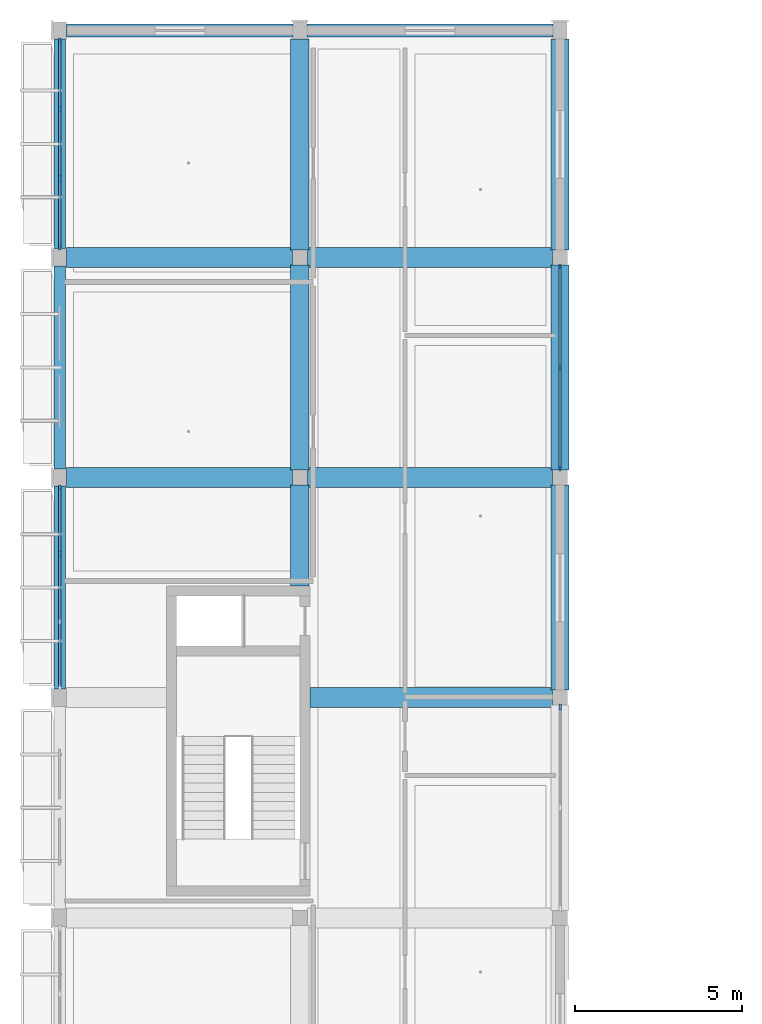
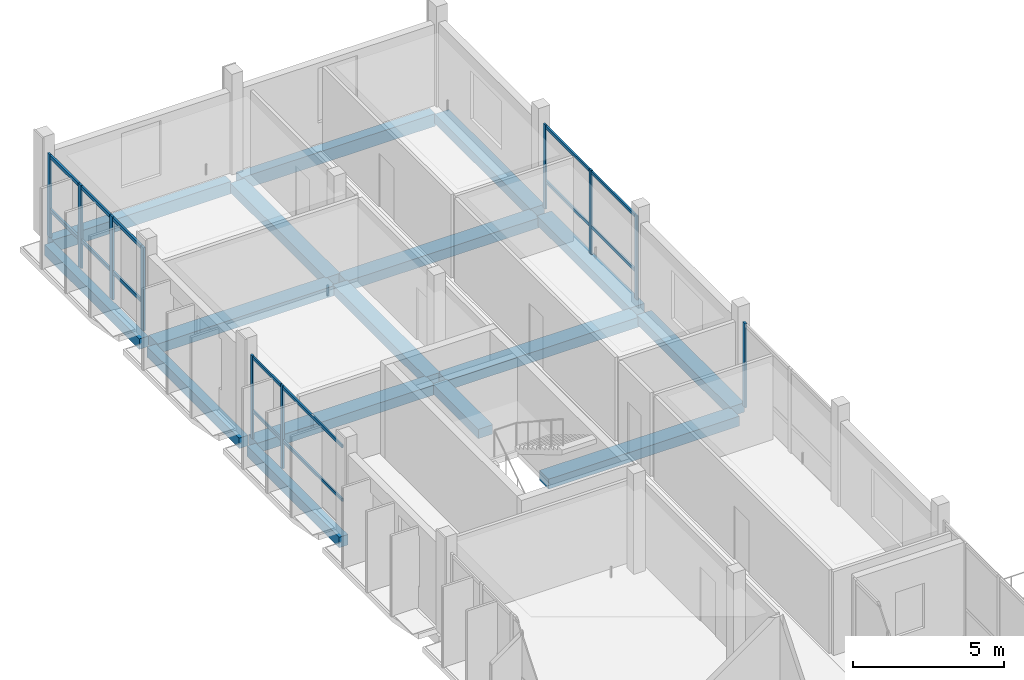
# One storey, part 7 of 48: 16 beams, 16 members, 4 elements without a shape of their own.
"""IFC4 building model written with IfcOpenShell, lengths in metres."""

import ifcopenshell
import ifcopenshell.guid

model = None  # the IFC model being written
_history = None  # IfcOwnerHistory: only IFC2X3 demands one
_inside = {}  # id of a spatial element -> (the spatial element, [elements in it])
_under = {}  # id of a project, library or spatial element -> (it, [spatial elements below it])
_declared = {}  # id of a project -> (the project, [libraries it declares])
_typed = {}  # id of a type object -> (the type object, [elements of that type])
_made_of = {}  # id of a material, layer set ... -> (it, [elements and type objects made of it])


def new_model(schema):
    """Start an empty IFC model of exactly this schema.

    Asked for "IFC4X3", IfcOpenShell would pick the latest addendum, in which some entities
    have other attributes; the version numbers below select the first issue.
    IFC2X3 requires an IfcOwnerHistory on every rooted entity: one is made here for all.
    """
    global model, _history
    if schema == "IFC4X3":
        model = ifcopenshell.file(schema_version=(4, 3, 0, 0))
    else:
        model = ifcopenshell.file(schema=schema)
    _inside.clear()
    _under.clear()
    _declared.clear()
    _typed.clear()
    _made_of.clear()
    _history = None
    if model.schema == "IFC2X3":
        org = make("IfcOrganization", Name="unknown")
        user = make(
            "IfcPersonAndOrganization",
            ThePerson=make("IfcPerson", FamilyName="unknown"),
            TheOrganization=org,
        )
        app = make(
            "IfcApplication",
            ApplicationDeveloper=org,
            Version="unknown",
            ApplicationFullName="unknown",
            ApplicationIdentifier="unknown",
        )
        _history = make(
            "IfcOwnerHistory",
            OwningUser=user,
            OwningApplication=app,
            ChangeAction="ADDED",
            CreationDate=0,
        )
    return model


def make(cls, **values):
    """One entity of the class cls with the attributes given. An attribute that is None is left unset."""
    return model.create_entity(
        cls, **{name: value for name, value in values.items() if value is not None}
    )


def rooted(cls, **values):
    """An entity with a GlobalId (a new one), such as an element, a storey or a relation."""
    return make(cls, GlobalId=ifcopenshell.guid.new(), OwnerHistory=_history, **values)


def si_unit(unit_type, name, prefix=None):
    """IfcSIUnit, for example si_unit("LENGTHUNIT", "METRE", prefix="MILLI")."""
    return make("IfcSIUnit", UnitType=unit_type, Prefix=prefix, Name=name)


def derived_unit(unit_type, elements):
    """IfcDerivedUnit: a product of units, each with its exponent."""
    return make(
        "IfcDerivedUnit",
        Elements=[
            make("IfcDerivedUnitElement", Unit=unit, Exponent=power)
            for unit, power in elements
        ],
        UnitType=unit_type,
    )


def assignment(units):
    """IfcUnitAssignment: the units of a project."""
    return None if units is None else make("IfcUnitAssignment", Units=units)


def point(xyz):
    """IfcCartesianPoint."""
    return None if xyz is None else make("IfcCartesianPoint", Coordinates=xyz)


def direction(xyz):
    """IfcDirection."""
    return None if xyz is None else make("IfcDirection", DirectionRatios=xyz)


def frame(location, z_axis=None, x_axis=None):
    """IfcAxis2Placement3D, a coordinate frame: its origin and axes. An axis left out is left unset."""
    return make(
        "IfcAxis2Placement3D",
        Location=point(location),
        Axis=direction(z_axis),
        RefDirection=direction(x_axis),
    )


def frame_2d(location, x_axis=None):
    """IfcAxis2Placement2D, a coordinate frame in the plane: its origin and x axis."""
    return make(
        "IfcAxis2Placement2D", Location=point(location), RefDirection=direction(x_axis)
    )


def origin():
    """The frame at (0, 0, 0) with its axes left unset."""
    return frame((0.0, 0.0, 0.0))


def origin_2d():
    """The frame at (0, 0) in the plane with its x axis left unset."""
    return frame_2d((0.0, 0.0))


def place(relative_to, where):
    """IfcLocalPlacement: puts the frame where relative to a parent placement (None: the world)."""
    return make(
        "IfcLocalPlacement", PlacementRelTo=relative_to, RelativePlacement=where
    )


def context(
    kind, dimensions, precision=None, world=None, true_north=None, identifier=None
):
    """IfcGeometricRepresentationContext, for example the 3D "Model" context."""
    return make(
        "IfcGeometricRepresentationContext",
        ContextIdentifier=identifier,
        ContextType=kind,
        CoordinateSpaceDimension=dimensions,
        Precision=precision,
        WorldCoordinateSystem=world,
        TrueNorth=true_north,
    )


def subcontext(parent, identifier, kind, view, scale=None):
    """IfcGeometricRepresentationSubContext, for example "Body" below "Model"."""
    return make(
        "IfcGeometricRepresentationSubContext",
        ContextIdentifier=identifier,
        ContextType=kind,
        ParentContext=parent,
        TargetScale=scale,
        TargetView=view,
    )


def project(units=None, contexts=None):
    """IfcProject with its units and contexts."""
    return rooted(
        "IfcProject",
        Name="project",
        RepresentationContexts=contexts,
        UnitsInContext=assignment(units),
    )


def spatial(cls, under=None, at=None, **own):
    """A site, building, storey or space (cls), placed at a placement, below another one or the project."""
    s = rooted(cls, ObjectPlacement=at, **own)
    if under is not None:
        _under.setdefault(under.id(), (under, []))[1].append(s)
    return s


def profile(cls, at=None, kind="AREA", **sizes):
    """A parametric profile (cls). Its sizes go by their IFC names, for example OverallWidth=200.0."""
    return make(cls, ProfileType=kind, Position=at, **sizes)


def rectangle(**sizes):
    """IfcRectangleProfileDef."""
    return profile("IfcRectangleProfileDef", **sizes)


def extrude(swept, where, along, depth):
    """IfcExtrudedAreaSolid: the profile swept, set in the frame where, extruded along a direction by depth."""
    return make(
        "IfcExtrudedAreaSolid",
        SweptArea=swept,
        Position=where,
        ExtrudedDirection=direction(along),
        Depth=depth,
    )


def shape(context_of_items, identifier, shape_type, items):
    """IfcShapeRepresentation: the items that make up one representation, for example the "Body"."""
    return make(
        "IfcShapeRepresentation",
        ContextOfItems=context_of_items,
        RepresentationIdentifier=identifier,
        RepresentationType=shape_type,
        Items=items,
    )


def material(Name=None, Category=None):
    """IfcMaterial."""
    return make("IfcMaterial", Name=Name, Category=Category)


def material_profile(
    of_material, cross_section, Name=None, Category=None, Priority=None
):
    """IfcMaterialProfile: a cross section and its material."""
    return make(
        "IfcMaterialProfile",
        Name=Name,
        Material=of_material,
        Profile=cross_section,
        Priority=Priority,
        Category=Category,
    )


def profile_set(profiles, Name=None, composite=None):
    """IfcMaterialProfileSet."""
    return make(
        "IfcMaterialProfileSet",
        Name=Name,
        MaterialProfiles=profiles,
        CompositeProfile=composite,
    )


def made_of(thing, what):
    """Note that an element or type object is made of a material, layer set ...; save() writes the relation."""
    if what is not None:
        _made_of.setdefault(what.id(), (what, []))[1].append(thing)
    return thing


def type_object(cls, material=None, **own):
    """A type object (cls), such as IfcWallType, which elements share."""
    return made_of(rooted(cls, **own), material)


def element(
    cls,
    number,
    at=None,
    inside=None,
    cuts=None,
    type_object=None,
    material=None,
    context=None,
    identifier="Body",
    shape_type=None,
    held_by="IfcProductDefinitionShape",
    body=None,
    shapes=None,
    **own,
):
    """One element of the class cls, such as IfcWall. Its Tag is "e" and its number.

    at: its placement. inside: the storey or other place that contains it. cuts: it is an
    opening in that element (IfcRelVoidsElement). A single representation is given by context,
    identifier, shape_type and body (its items); several are given by shapes. held_by: the class
    of the entity that holds the representations. save() writes the other relations.
    """
    e = rooted(cls, Tag="e%d" % number, ObjectPlacement=at, **own)
    if body is not None:
        shapes = [shape(context, identifier, shape_type, body)]
    if shapes is not None:
        e.Representation = make(held_by, Representations=shapes)
    if inside is not None:
        _inside.setdefault(inside.id(), (inside, []))[1].append(e)
    if cuts is not None:
        rooted(
            "IfcRelVoidsElement", RelatingBuildingElement=cuts, RelatedOpeningElement=e
        )
    if type_object is not None:
        _typed.setdefault(type_object.id(), (type_object, []))[1].append(e)
    return made_of(e, material)


def aggregate(whole, parts):
    """IfcRelAggregates: a whole, such as a stair, and the parts it consists of."""
    return rooted("IfcRelAggregates", RelatingObject=whole, RelatedObjects=parts)


def save(model, path):
    """Write the relations noted so far, then the file.

    IfcRelAggregates (storeys below a building ...), IfcRelContainedInSpatialStructure (elements
    in a storey), IfcRelDefinesByType, IfcRelAssociatesMaterial and IfcRelDeclares: one each for
    every whole, place, type object, material and project.
    """
    for whole, parts in _under.values():
        aggregate(whole, parts)
    for where, things in _inside.values():
        rooted(
            "IfcRelContainedInSpatialStructure",
            RelatedElements=things,
            RelatingStructure=where,
        )
    for kind, things in _typed.values():
        rooted("IfcRelDefinesByType", RelatedObjects=things, RelatingType=kind)
    for what, things in _made_of.values():
        rooted("IfcRelAssociatesMaterial", RelatedObjects=things, RelatingMaterial=what)
    for by, libraries in _declared.values():
        rooted("IfcRelDeclares", RelatingContext=by, RelatedDefinitions=libraries)
    model.write(path)


model = new_model("IFC4")

# Units and contexts
model_context = context("Model", 3, precision=1e-05, world=origin(), true_north=direction((0.0, 1.0)))
body_context = subcontext(model_context, "Body", "Model", "MODEL_VIEW")
ifc_project = project(units=[si_unit("LENGTHUNIT", "METRE"), si_unit("AREAUNIT", "SQUARE_METRE"), si_unit("VOLUMEUNIT", "CUBIC_METRE"), si_unit("PLANEANGLEUNIT", "RADIAN"), si_unit("MASSUNIT", "GRAM", prefix="KILO"), derived_unit("THERMALTRANSMITTANCEUNIT", [(si_unit("POWERUNIT", "WATT"), 1), (si_unit("LENGTHUNIT", "METRE"), -2), (si_unit("THERMODYNAMICTEMPERATUREUNIT", "KELVIN"), -1)])], contexts=[model_context])

# Site, building, storey
site_placement = place(None, origin())
site = spatial("IfcSite", under=ifc_project, at=site_placement, CompositionType="ELEMENT")
building_placement = place(site_placement, origin())
building = spatial("IfcBuilding", under=site, at=building_placement, Name="Braskholm Square Health Centre", CompositionType="ELEMENT")
storey_placement = place(building_placement, frame((0.0, 0.0, 17.550048828125)))
storey = spatial("IfcBuildingStorey", under=building, at=storey_placement, Name="L05", CompositionType="ELEMENT", Elevation=17.550048828125)

# Curtain wall, members
ifc_material_1 = material(Name="Low-E triple insulating glass (VLT 0.64)", Category="glass")
curtain_wall_type = type_object("IfcCurtainWallType", Name="UnitisedCurtainWall6200x3650", PredefinedType="NOTDEFINED", material=ifc_material_1)
curtain_wall_1_placement = place(storey_placement, origin())
curtain_wall_1 = element("IfcCurtainWall", 1, at=curtain_wall_1_placement, inside=storey, type_object=curtain_wall_type, Name="West Outer unitised curtain wall CW-L05-0036", PredefinedType="NOTDEFINED")
ifc_material_2 = material(Name="Architectural bronze anodised aluminium", Category="aluminium")
ifc_material_profile_1 = material_profile(ifc_material_2, rectangle(XDim=0.06494140625, YDim=0.14990234375, at=origin_2d()), Name="ALU-65X150")
ifc_profile_set_1 = profile_set([ifc_material_profile_1], Name="Architectural bronze anodised aluminium")
member_type_1 = type_object("IfcMemberType", Name="CurtainWallMullion65x150", PredefinedType="MULLION", material=ifc_profile_set_1)
member_1_placement = place(storey_placement, frame((4.199951171875, 100.093505859375, 0.0), z_axis=(0.0, 0.0, 1.0), x_axis=(1.0, 0.0, 0.0)))
member_1 = element("IfcMember", 2, at=member_1_placement, type_object=member_type_1, Name="CW-L05-0036 vertical mullion 1", PredefinedType="MULLION", context=body_context, shape_type="SweptSolid", body=[
    extrude(rectangle(XDim=0.06494140625, YDim=0.14990234375, at=origin_2d()), origin(), (0.0, 0.0, 1.0), 3.349853515625),
])
member_2_placement = place(storey_placement, frame((4.199951171875, 98.110107421875, 0.0), z_axis=(0.0, 0.0, 1.0), x_axis=(1.0, 0.0, 0.0)))
member_2 = element("IfcMember", 3, at=member_2_placement, type_object=member_type_1, Name="CW-L05-0036 vertical mullion 2", PredefinedType="MULLION", context=body_context, shape_type="SweptSolid", body=[
    extrude(rectangle(XDim=0.06494140625, YDim=0.14990234375, at=origin_2d()), origin(), (0.0, 0.0, 1.0), 3.349853515625),
])

curtain_wall_2_placement = place(storey_placement, origin())
curtain_wall_2 = element("IfcCurtainWall", 4, at=curtain_wall_2_placement, inside=storey, type_object=curtain_wall_type, Name="West Valley unitised curtain wall CW-L05-0108", PredefinedType="NOTDEFINED")
member_3_placement = place(storey_placement, frame((19.199951171875, 100.6767578125, 0.0), z_axis=(0.0, 0.0, 1.0), x_axis=(1.0, 0.0, 0.0)))
member_3 = element("IfcMember", 5, at=member_3_placement, type_object=member_type_1, Name="CW-L05-0108 vertical mullion 1", PredefinedType="MULLION", context=body_context, shape_type="SweptSolid", body=[
    extrude(rectangle(XDim=0.06494140625, YDim=0.14990234375, at=origin_2d()), origin(), (0.0, 0.0, 1.0), 3.389892578125),
])
member_4_placement = place(storey_placement, frame((19.199951171875, 103.699951171875, 0.0), z_axis=(0.0, 0.0, 1.0), x_axis=(1.0, 0.0, 0.0)))
member_4 = element("IfcMember", 6, at=member_4_placement, type_object=member_type_1, Name="CW-L05-0108 vertical mullion 2", PredefinedType="MULLION", context=body_context, shape_type="SweptSolid", body=[
    extrude(rectangle(XDim=0.06494140625, YDim=0.14990234375, at=origin_2d()), origin(), (0.0, 0.0, 1.0), 3.389892578125),
])
member_5_placement = place(storey_placement, frame((19.199951171875, 106.723388671875, 0.0), z_axis=(0.0, 0.0, 1.0), x_axis=(1.0, 0.0, 0.0)))
member_5 = element("IfcMember", 7, at=member_5_placement, type_object=member_type_1, Name="CW-L05-0108 vertical mullion 3", PredefinedType="MULLION", context=body_context, shape_type="SweptSolid", body=[
    extrude(rectangle(XDim=0.06494140625, YDim=0.14990234375, at=origin_2d()), origin(), (0.0, 0.0, 1.0), 3.389892578125),
])

curtain_wall_3_placement = place(storey_placement, origin())
curtain_wall_3 = element("IfcCurtainWall", 8, at=curtain_wall_3_placement, inside=storey, type_object=curtain_wall_type, Name="West Outer unitised curtain wall CW-L05-0037", PredefinedType="NOTDEFINED")
ifc_material_profile_2 = material_profile(ifc_material_2, rectangle(XDim=0.074951171875, YDim=0.179931640625, at=origin_2d()), Name="ALU-75X180")
ifc_profile_set_2 = profile_set([ifc_material_profile_2], Name="Architectural bronze anodised aluminium")
member_type_2 = type_object("IfcMemberType", Name="CurtainWallMullion75x180", PredefinedType="MULLION", material=ifc_profile_set_2)
member_6_placement = place(storey_placement, frame((4.199951171875, 113.492431640625, 0.0), z_axis=(0.0, 0.0, 1.0), x_axis=(1.0, 0.0, 0.0)))
member_6 = element("IfcMember", 9, at=member_6_placement, type_object=member_type_2, Name="CW-L05-0037 vertical mullion 1", PredefinedType="MULLION", context=body_context, shape_type="SweptSolid", body=[
    extrude(rectangle(XDim=0.074951171875, YDim=0.179931640625, at=origin_2d()), origin(), (0.0, 0.0, 1.0), 3.349853515625),
])
member_7_placement = place(storey_placement, frame((4.199951171875, 111.443359375, 0.0), z_axis=(0.0, 0.0, 1.0), x_axis=(1.0, 0.0, 0.0)))
member_7 = element("IfcMember", 10, at=member_7_placement, type_object=member_type_2, Name="CW-L05-0037 vertical mullion 2", PredefinedType="MULLION", context=body_context, shape_type="SweptSolid", body=[
    extrude(rectangle(XDim=0.074951171875, YDim=0.179931640625, at=origin_2d()), origin(), (0.0, 0.0, 1.0), 3.349853515625),
])
member_8_placement = place(storey_placement, frame((4.199951171875, 109.356689453125, 0.0), z_axis=(0.0, 0.0, 1.0), x_axis=(1.0, 0.0, 0.0)))
member_8 = element("IfcMember", 11, at=member_8_placement, type_object=member_type_2, Name="CW-L05-0037 vertical mullion 3", PredefinedType="MULLION", context=body_context, shape_type="SweptSolid", body=[
    extrude(rectangle(XDim=0.074951171875, YDim=0.179931640625, at=origin_2d()), origin(), (0.0, 0.0, 1.0), 3.349853515625),
])
member_9_placement = place(storey_placement, frame((4.199951171875, 107.3076171875, 0.0), z_axis=(0.0, 0.0, 1.0), x_axis=(1.0, 0.0, 0.0)))
member_9 = element("IfcMember", 12, at=member_9_placement, type_object=member_type_2, Name="CW-L05-0037 vertical mullion 4", PredefinedType="MULLION", context=body_context, shape_type="SweptSolid", body=[
    extrude(rectangle(XDim=0.074951171875, YDim=0.179931640625, at=origin_2d()), origin(), (0.0, 0.0, 1.0), 3.349853515625),
])

# Curtain wall, member
curtain_wall_4_placement = place(storey_placement, origin())
curtain_wall_4 = element("IfcCurtainWall", 13, at=curtain_wall_4_placement, inside=storey, type_object=curtain_wall_type, Name="West Valley unitised curtain wall CW-L05-0107", PredefinedType="NOTDEFINED")
member_10_placement = place(storey_placement, frame((19.199951171875, 93.523193359375, 0.0), z_axis=(0.0, 0.0, 1.0), x_axis=(1.0, 0.0, 0.0)))
member_10 = element("IfcMember", 14, at=member_10_placement, type_object=member_type_2, Name="CW-L05-0107 vertical mullion 3", PredefinedType="MULLION", context=body_context, shape_type="SweptSolid", body=[
    extrude(rectangle(XDim=0.074951171875, YDim=0.179931640625, at=origin_2d()), origin(), (0.0, 0.0, 1.0), 3.389892578125),
])
aggregate(curtain_wall_4, [member_10])

# Member
ifc_material_profile_3 = material_profile(ifc_material_2, rectangle(XDim=0.06494140625, YDim=0.1201171875, at=origin_2d()), Name="ALU-65X120")
ifc_profile_set_3 = profile_set([ifc_material_profile_3], Name="Architectural bronze anodised aluminium")
member_type_3 = type_object("IfcMemberType", Name="CurtainWallTransom65x120", PredefinedType="USERDEFINED", material=ifc_profile_set_3)
member_11_placement = place(storey_placement, frame((4.199951171875, 100.0849609375, 1.119873046875), z_axis=(0.0, -1.0, 0.0), x_axis=(1.0, 0.0, 0.0)))
member_11 = element("IfcMember", 15, at=member_11_placement, type_object=member_type_3, Name="CW-L05-0036 horizontal transom 1", ObjectType="TRANSOM", PredefinedType="USERDEFINED", context=body_context, shape_type="SweptSolid", body=[
    extrude(rectangle(XDim=0.06494140625, YDim=0.1201171875, at=origin_2d()), origin(), (0.0, 0.0, 1.0), 5.969970703125),
])

member_12_placement = place(storey_placement, frame((4.199951171875, 100.0849609375, 3.280029296875), z_axis=(0.0, -1.0, 0.0), x_axis=(1.0, 0.0, 0.0)))
member_12 = element("IfcMember", 16, at=member_12_placement, type_object=member_type_3, Name="CW-L05-0036 horizontal transom 2", ObjectType="TRANSOM", PredefinedType="USERDEFINED", context=body_context, shape_type="SweptSolid", body=[
    extrude(rectangle(XDim=0.06494140625, YDim=0.1201171875, at=origin_2d()), origin(), (0.0, 0.0, 1.0), 5.969970703125),
])

aggregate(curtain_wall_1, [member_1, member_2, member_11, member_12])

member_13_placement = place(storey_placement, frame((19.199951171875, 100.68505859375, 1.119873046875), z_axis=(0.0, 1.0, 0.0), x_axis=(-1.0, 0.0, 0.0)))
member_13 = element("IfcMember", 17, at=member_13_placement, type_object=member_type_3, Name="CW-L05-0108 horizontal transom 1", ObjectType="TRANSOM", PredefinedType="USERDEFINED", context=body_context, shape_type="SweptSolid", body=[
    extrude(rectangle(XDim=0.06494140625, YDim=0.1201171875, at=origin_2d()), origin(), (0.0, 0.0, 1.0), 6.030029296875),
])

member_14_placement = place(storey_placement, frame((19.199951171875, 100.68505859375, 3.320068359375), z_axis=(0.0, 1.0, 0.0), x_axis=(-1.0, 0.0, 0.0)))
member_14 = element("IfcMember", 18, at=member_14_placement, type_object=member_type_3, Name="CW-L05-0108 horizontal transom 2", ObjectType="TRANSOM", PredefinedType="USERDEFINED", context=body_context, shape_type="SweptSolid", body=[
    extrude(rectangle(XDim=0.06494140625, YDim=0.1201171875, at=origin_2d()), origin(), (0.0, 0.0, 1.0), 6.030029296875),
])

aggregate(curtain_wall_2, [member_3, member_4, member_5, member_13, member_14])

ifc_material_profile_4 = material_profile(ifc_material_2, rectangle(XDim=0.074951171875, YDim=0.139892578125, at=origin_2d()), Name="ALU-75X140")
ifc_profile_set_4 = profile_set([ifc_material_profile_4], Name="Architectural bronze anodised aluminium")
member_type_4 = type_object("IfcMemberType", Name="CurtainWallTransom75x140", PredefinedType="USERDEFINED", material=ifc_profile_set_4)
member_15_placement = place(storey_placement, frame((4.199951171875, 113.485107421875, 1.119873046875), z_axis=(0.0, -1.0, 0.0), x_axis=(1.0, 0.0, 0.0)))
member_15 = element("IfcMember", 19, at=member_15_placement, type_object=member_type_4, Name="CW-L05-0037 horizontal transom 1", ObjectType="TRANSOM", PredefinedType="USERDEFINED", context=body_context, shape_type="SweptSolid", body=[
    extrude(rectangle(XDim=0.074951171875, YDim=0.139892578125, at=origin_2d()), origin(), (0.0, 0.0, 1.0), 6.170166015625),
])

member_16_placement = place(storey_placement, frame((4.199951171875, 113.485107421875, 3.280029296875), z_axis=(0.0, -1.0, 0.0), x_axis=(1.0, 0.0, 0.0)))
member_16 = element("IfcMember", 20, at=member_16_placement, type_object=member_type_4, Name="CW-L05-0037 horizontal transom 2", ObjectType="TRANSOM", PredefinedType="USERDEFINED", context=body_context, shape_type="SweptSolid", body=[
    extrude(rectangle(XDim=0.074951171875, YDim=0.139892578125, at=origin_2d()), origin(), (0.0, 0.0, 1.0), 6.170166015625),
])

aggregate(curtain_wall_3, [member_6, member_7, member_8, member_9, member_15, member_16])

# Beams
ifc_material_3 = material(Name="Concrete C35/45 (f'c = 35 MPa)", Category="concrete")
ifc_material_profile_5 = material_profile(ifc_material_3, rectangle(XDim=0.550048828125, YDim=0.3798828125, at=origin_2d()), Name="RCB-550X380")
ifc_profile_set_5 = profile_set([ifc_material_profile_5], Name="Concrete C35/45 (f'c = 35 MPa)")
beam_type_1 = type_object("IfcBeamType", Name="PrimaryBandBeam550x380", PredefinedType="BEAM", material=ifc_profile_set_5)
beam_1_placement = place(storey_placement, frame((11.39990234375, 97.14990234375, -0.489990234375), z_axis=(0.0, 1.0, 0.0), x_axis=(-1.0, 0.0, 0.0)))
element("IfcBeam", 21, at=beam_1_placement, inside=storey, type_object=beam_type_1, Name="Beam 2/N-Q L05", PredefinedType="BEAM", context=body_context, shape_type="SweptSolid", body=[
    extrude(rectangle(XDim=0.550048828125, YDim=0.3798828125, at=origin_2d()), origin(), (0.0, 0.0, 1.0), 3.025146484375),
])
beam_2_placement = place(storey_placement, frame((11.39990234375, 100.625, -0.489990234375), z_axis=(0.0, 1.0, 0.0), x_axis=(-1.0, 0.0, 0.0)))
element("IfcBeam", 22, at=beam_2_placement, inside=storey, type_object=beam_type_1, Name="Beam 2/Q-R L05", PredefinedType="BEAM", context=body_context, shape_type="SweptSolid", body=[
    extrude(rectangle(XDim=0.550048828125, YDim=0.3798828125, at=origin_2d()), origin(), (0.0, 0.0, 1.0), 6.14990234375),
])
beam_3_placement = place(storey_placement, frame((11.39990234375, 107.22509765625, -0.489990234375), z_axis=(0.0, 1.0, 0.0), x_axis=(-1.0, 0.0, 0.0)))
element("IfcBeam", 23, at=beam_3_placement, inside=storey, type_object=beam_type_1, Name="Beam 2/R-S L05", PredefinedType="BEAM", context=body_context, shape_type="SweptSolid", body=[
    extrude(rectangle(XDim=0.550048828125, YDim=0.3798828125, at=origin_2d()), origin(), (0.0, 0.0, 1.0), 6.31494140625),
])
beam_4_placement = place(storey_placement, frame((19.199951171875, 94.02490234375, -0.43994140625), z_axis=(0.0, 1.0, 0.0), x_axis=(-1.0, 0.0, 0.0)))
element("IfcBeam", 24, at=beam_4_placement, inside=storey, type_object=beam_type_1, Name="Beam 3/P-Q L05", PredefinedType="BEAM", context=body_context, shape_type="SweptSolid", body=[
    extrude(rectangle(XDim=0.550048828125, YDim=0.3798828125, at=origin_2d()), origin(), (0.0, 0.0, 1.0), 6.150146484375),
])
beam_5_placement = place(storey_placement, frame((19.199951171875, 100.625, -0.43994140625), z_axis=(0.0, 1.0, 0.0), x_axis=(-1.0, 0.0, 0.0)))
element("IfcBeam", 25, at=beam_5_placement, inside=storey, type_object=beam_type_1, Name="Beam 3/Q-R L05", PredefinedType="BEAM", context=body_context, shape_type="SweptSolid", body=[
    extrude(rectangle(XDim=0.550048828125, YDim=0.3798828125, at=origin_2d()), origin(), (0.0, 0.0, 1.0), 6.14990234375),
])
beam_6_placement = place(storey_placement, frame((19.199951171875, 107.22509765625, -0.43994140625), z_axis=(0.0, 1.0, 0.0), x_axis=(-1.0, 0.0, 0.0)))
element("IfcBeam", 26, at=beam_6_placement, inside=storey, type_object=beam_type_1, Name="Beam 3/R-S L05", PredefinedType="BEAM", context=body_context, shape_type="SweptSolid", body=[
    extrude(rectangle(XDim=0.550048828125, YDim=0.3798828125, at=origin_2d()), origin(), (0.0, 0.0, 1.0), 6.31494140625),
])
ifc_material_profile_6 = material_profile(ifc_material_3, rectangle(XDim=0.60009765625, YDim=0.39990234375, at=origin_2d()), Name="RCB-600X400")
ifc_profile_set_6 = profile_set([ifc_material_profile_6], Name="Concrete C35/45 (f'c = 35 MPa)")
beam_type_2 = type_object("IfcBeamType", Name="PrimaryBandBeam600x400", PredefinedType="BEAM", material=ifc_profile_set_6)
beam_7_placement = place(storey_placement, frame((11.699951171875, 93.800048828125, -0.5), z_axis=(1.0, 0.0, 0.0), x_axis=(0.0, 1.0, 0.0)))
element("IfcBeam", 27, at=beam_7_placement, inside=storey, type_object=beam_type_2, Name="Beam 1-3/P L05", PredefinedType="BEAM", context=body_context, shape_type="SweptSolid", body=[
    extrude(rectangle(XDim=0.60009765625, YDim=0.39990234375, at=origin_2d()), origin(), (0.0, 0.0, 1.0), 7.275146484375),
])
beam_8_placement = place(storey_placement, frame((4.409912109375, 100.39990234375, -0.5), z_axis=(1.0, 0.0, 0.0), x_axis=(0.0, 1.0, 0.0)))
element("IfcBeam", 28, at=beam_8_placement, inside=storey, type_object=beam_type_2, Name="Beam 1-2/Q L05", PredefinedType="BEAM", context=body_context, shape_type="SweptSolid", body=[
    extrude(rectangle(XDim=0.60009765625, YDim=0.39990234375, at=origin_2d()), origin(), (0.0, 0.0, 1.0), 6.76513671875),
])
beam_9_placement = place(storey_placement, frame((11.625, 100.39990234375, -0.5), z_axis=(1.0, 0.0, 0.0), x_axis=(0.0, 1.0, 0.0)))
element("IfcBeam", 29, at=beam_9_placement, inside=storey, type_object=beam_type_2, Name="Beam 2-3/Q L05", PredefinedType="BEAM", context=body_context, shape_type="SweptSolid", body=[
    extrude(rectangle(XDim=0.60009765625, YDim=0.39990234375, at=origin_2d()), origin(), (0.0, 0.0, 1.0), 7.35009765625),
])
beam_10_placement = place(storey_placement, frame((4.409912109375, 107.0, -0.5), z_axis=(1.0, 0.0, 0.0), x_axis=(0.0, 1.0, 0.0)))
element("IfcBeam", 30, at=beam_10_placement, inside=storey, type_object=beam_type_2, Name="Beam 1-2/R L05", PredefinedType="BEAM", context=body_context, shape_type="SweptSolid", body=[
    extrude(rectangle(XDim=0.60009765625, YDim=0.39990234375, at=origin_2d()), origin(), (0.0, 0.0, 1.0), 6.76513671875),
])
beam_11_placement = place(storey_placement, frame((11.625, 107.0, -0.5), z_axis=(1.0, 0.0, 0.0), x_axis=(0.0, 1.0, 0.0)))
element("IfcBeam", 31, at=beam_11_placement, inside=storey, type_object=beam_type_2, Name="Beam 2-3/R L05", PredefinedType="BEAM", context=body_context, shape_type="SweptSolid", body=[
    extrude(rectangle(XDim=0.60009765625, YDim=0.39990234375, at=origin_2d()), origin(), (0.0, 0.0, 1.0), 7.35009765625),
])
ifc_material_4 = material(Name="Precast concrete C40/50 architectural white", Category="concrete")
ifc_material_profile_7 = material_profile(ifc_material_4, rectangle(XDim=0.340087890625, YDim=0.419921875, at=origin_2d()), Name="RCB-340X420")
ifc_profile_set_7 = profile_set([ifc_material_profile_7], Name="Precast concrete C40/50 architectural white")
beam_type_3 = type_object("IfcBeamType", Name="SpandrelCrownEdge340x420", PredefinedType="SPANDREL", material=ifc_profile_set_7)
beam_12_placement = place(storey_placement, frame((4.199951171875, 94.06005859375, -0.510009765625), z_axis=(0.0, 1.0, 0.0), x_axis=(-1.0, 0.0, 0.0)))
element("IfcBeam", 32, at=beam_12_placement, inside=storey, type_object=beam_type_3, Name="Beam 1/P-Q L05", PredefinedType="SPANDREL", context=body_context, shape_type="SweptSolid", body=[
    extrude(rectangle(XDim=0.340087890625, YDim=0.419921875, at=origin_2d()), origin(), (0.0, 0.0, 1.0), 6.079833984375),
])
beam_13_placement = place(storey_placement, frame((4.199951171875, 100.659912109375, -0.510009765625), z_axis=(0.0, 1.0, 0.0), x_axis=(-1.0, 0.0, 0.0)))
element("IfcBeam", 33, at=beam_13_placement, inside=storey, type_object=beam_type_3, Name="Beam 1/Q-R L05", PredefinedType="SPANDREL", context=body_context, shape_type="SweptSolid", body=[
    extrude(rectangle(XDim=0.340087890625, YDim=0.419921875, at=origin_2d()), origin(), (0.0, 0.0, 1.0), 6.080078125),
])
beam_14_placement = place(storey_placement, frame((4.199951171875, 107.260009765625, -0.510009765625), z_axis=(0.0, 1.0, 0.0), x_axis=(-1.0, 0.0, 0.0)))
element("IfcBeam", 34, at=beam_14_placement, inside=storey, type_object=beam_type_3, Name="Beam 1/R-S L05", PredefinedType="SPANDREL", context=body_context, shape_type="SweptSolid", body=[
    extrude(rectangle(XDim=0.340087890625, YDim=0.419921875, at=origin_2d()), origin(), (0.0, 0.0, 1.0), 6.280029296875),
])
ifc_material_profile_8 = material_profile(ifc_material_4, rectangle(XDim=0.3798828125, YDim=0.5, at=origin_2d()), Name="RCB-380X500")
ifc_profile_set_8 = profile_set([ifc_material_profile_8], Name="Precast concrete C40/50 architectural white")
beam_type_4 = type_object("IfcBeamType", Name="SpandrelPrecastEdge380x500", PredefinedType="SPANDREL", material=ifc_profile_set_8)
beam_15_placement = place(storey_placement, frame((4.409912109375, 113.800048828125, -0.550048828125), z_axis=(1.0, 0.0, 0.0), x_axis=(0.0, 1.0, 0.0)))
element("IfcBeam", 35, at=beam_15_placement, inside=storey, type_object=beam_type_4, Name="Beam 1-2/S L05", PredefinedType="SPANDREL", context=body_context, shape_type="SweptSolid", body=[
    extrude(rectangle(XDim=0.3798828125, YDim=0.5, at=origin_2d()), origin(), (0.0, 0.0, 1.0), 6.780029296875),
])
beam_16_placement = place(storey_placement, frame((11.610107421875, 113.800048828125, -0.550048828125), z_axis=(1.0, 0.0, 0.0), x_axis=(0.0, 1.0, 0.0)))
element("IfcBeam", 36, at=beam_16_placement, inside=storey, type_object=beam_type_4, Name="Beam 2-3/S L05", PredefinedType="SPANDREL", context=body_context, shape_type="SweptSolid", body=[
    extrude(rectangle(XDim=0.3798828125, YDim=0.5, at=origin_2d()), origin(), (0.0, 0.0, 1.0), 7.3798828125),
])

save(model, "model.ifc")
